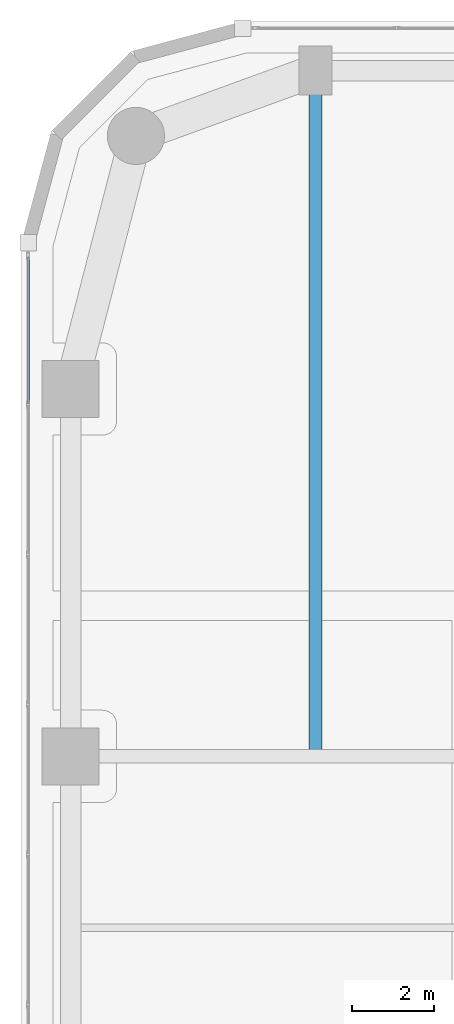
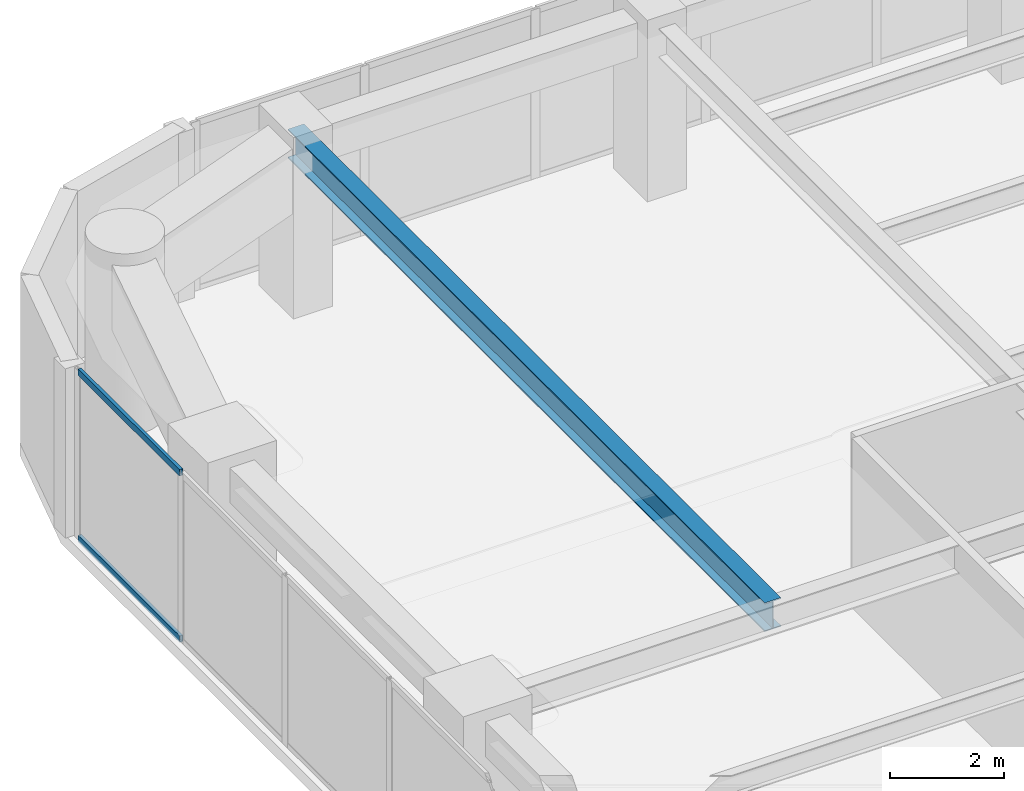
# One storey, part 10 of 24: 2 members, 1 beam, 1 element without a shape of its own.
"""IFC4 building model written with IfcOpenShell, lengths in metres."""

from ifc_helpers import new_model, si_unit, direction, frame, origin, origin_2d, place, context, subcontext, project, spatial, hollow_rectangle, i_section, extrude, material, layer, layer_set, material_profile, profile_set, type_object, element, aggregate, save


model = new_model("IFC4")

# Units and contexts
model_context = context("Model", 3, precision=1e-05, world=origin(), true_north=direction((0.0, 1.0)))
body_context = subcontext(model_context, "Body", "Model", "MODEL_VIEW")
ifc_project = project(units=[si_unit("LENGTHUNIT", "METRE"), si_unit("AREAUNIT", "SQUARE_METRE"), si_unit("VOLUMEUNIT", "CUBIC_METRE"), si_unit("PLANEANGLEUNIT", "RADIAN"), si_unit("MASSUNIT", "GRAM", prefix="KILO")], contexts=[model_context])

# Site, building, storey
site_placement = place(None, origin())
site = spatial("IfcSite", under=ifc_project, at=site_placement, CompositionType="ELEMENT")
building_placement = place(site_placement, origin())
building = spatial("IfcBuilding", under=site, at=building_placement, Name="Kiyonajd Concourse Tower", CompositionType="ELEMENT")
storey_placement = place(building_placement, frame((0.0, 0.0, 101.39990234375)))
storey = spatial("IfcBuildingStorey", under=building, at=storey_placement, Name="L26", CompositionType="ELEMENT", Elevation=101.39990234375)

# Beam
ifc_material_1 = material(Name="Steel ASTM A992 Grade 50", Category="steel")
ifc_material_profile_1 = material_profile(ifc_material_1, i_section(OverallWidth=0.326904296875, OverallDepth=0.6220703125, WebThickness=0.015380859375, FlangeThickness=0.0244140625, at=origin_2d()), Name="W610X195")
ifc_profile_set_1 = profile_set([ifc_material_profile_1], Name="Steel ASTM A992 Grade 50")
beam_type = type_object("IfcBeamType", Name="BM-TWR-610A", PredefinedType="BEAM", material=ifc_profile_set_1)
beam_placement = place(storey_placement, frame((25.199951171875, 44.39990234375, 3.3291015625), z_axis=(0.0, 1.0, 0.0), x_axis=(-1.0, 0.0, 0.0)))
element("IfcBeam", 1, at=beam_placement, inside=storey, type_object=beam_type, Name="L26 North Lease Girder", PredefinedType="BEAM", context=body_context, shape_type="SweptSolid", body=[
    extrude(i_section(OverallWidth=0.326904296875, OverallDepth=0.6220703125, WebThickness=0.015380859375, FlangeThickness=0.0244140625, at=origin_2d()), origin(), (0.0, 0.0, 1.0), 16.800048828125),
])

# Curtain wall, members
ifc_material_2 = material(Name="Thermally Broken Anodised Aluminium", Category="aluminium")
ifc_layer = layer(ifc_material_2, 0.179931640625)
ifc_layer_set = layer_set([ifc_layer], Name="Thermally Broken Anodised Aluminium")
curtain_wall_type = type_object("IfcCurtainWallType", Name="CW-SYS-03", PredefinedType="NOTDEFINED", material=ifc_layer_set)
curtain_wall_placement = place(storey_placement, origin())
curtain_wall = element("IfcCurtainWall", 2, at=curtain_wall_placement, inside=storey, type_object=curtain_wall_type, Name="L26 Unitised Curtain Wall CW3", PredefinedType="NOTDEFINED")
ifc_material_profile_2 = material_profile(ifc_material_2, hollow_rectangle(XDim=0.06494140625, YDim=0.139892578125, WallThickness=0.00390625, at=origin_2d()), Name="TRAN-65x140")
ifc_profile_set_2 = profile_set([ifc_material_profile_2], Name="Thermally Broken Anodised Aluminium")
member_type = type_object("IfcMemberType", Name="MB-CW-TRAN1", PredefinedType="USERDEFINED", material=ifc_profile_set_2)
member_1_placement = place(storey_placement, frame((18.159912109375, 53.04833984375, 0.03271484375), z_axis=(0.0, 1.0, 0.0), x_axis=(-1.0, 0.0, 0.0)))
member_1 = element("IfcMember", 3, at=member_1_placement, type_object=member_type, Name="CW3 transom 6.1", ObjectType="TRANSOM", PredefinedType="USERDEFINED", context=body_context, shape_type="SweptSolid", body=[
    extrude(hollow_rectangle(XDim=0.06494140625, YDim=0.139892578125, WallThickness=0.00390625, at=origin_2d()), origin(), (0.0, 0.0, 1.0), 3.575439453125),
])
member_2_placement = place(storey_placement, frame((18.159912109375, 53.04833984375, 3.607666015625), z_axis=(0.0, 1.0, 0.0), x_axis=(-1.0, 0.0, 0.0)))
member_2 = element("IfcMember", 4, at=member_2_placement, type_object=member_type, Name="CW3 transom 6.2", ObjectType="TRANSOM", PredefinedType="USERDEFINED", context=body_context, shape_type="SweptSolid", body=[
    extrude(hollow_rectangle(XDim=0.06494140625, YDim=0.139892578125, WallThickness=0.00390625, at=origin_2d()), origin(), (0.0, 0.0, 1.0), 3.575439453125),
])
aggregate(curtain_wall, [member_1, member_2])

save(model, "model.ifc")
